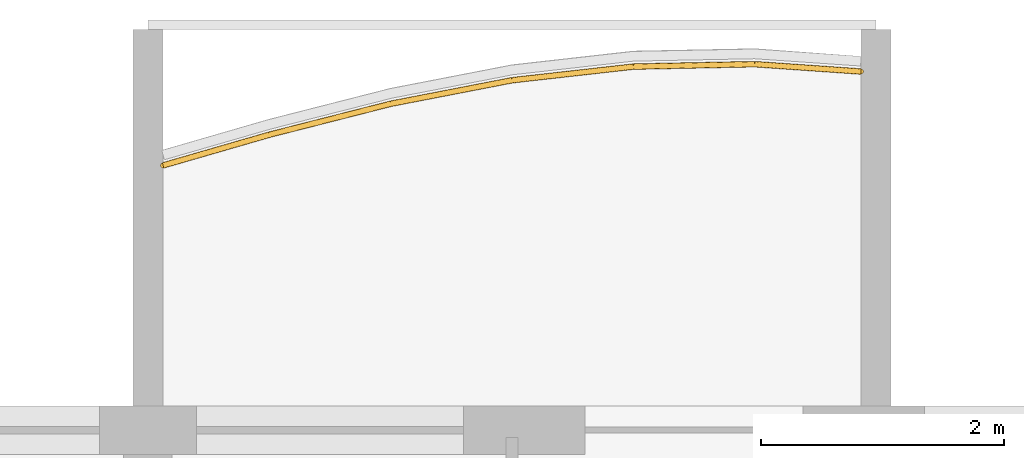
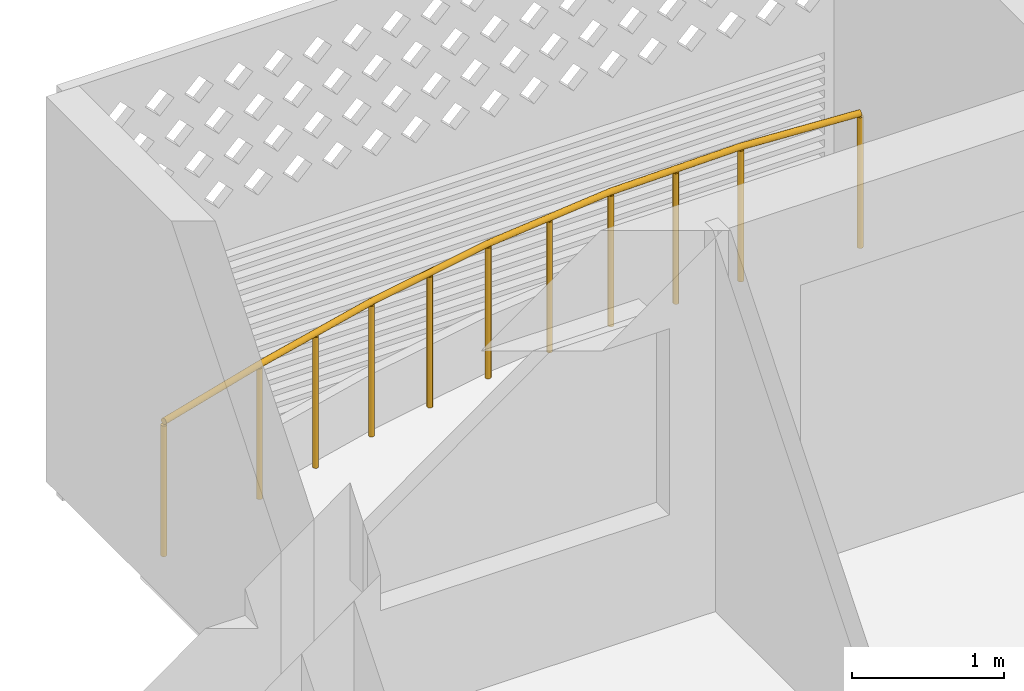
# One storey, part 24 of 40: 1 railing.
"""IFC4 building model written with IfcOpenShell, lengths in metres."""

from ifc_helpers import new_model, si_unit, direction, frame, origin, origin_2d, place, context, subcontext, project, spatial, circle, extrude, material, type_object, element, save


model = new_model("IFC4")

# Units and contexts
model_context = context("Model", 3, precision=1e-05, world=origin(), true_north=direction((0.0, 1.0)))
body_context = subcontext(model_context, "Body", "Model", "MODEL_VIEW")
ifc_project = project(units=[si_unit("LENGTHUNIT", "METRE"), si_unit("AREAUNIT", "SQUARE_METRE"), si_unit("VOLUMEUNIT", "CUBIC_METRE"), si_unit("PLANEANGLEUNIT", "RADIAN"), si_unit("MASSUNIT", "GRAM", prefix="KILO")], contexts=[model_context])

# Site, building, storey
site_placement = place(None, origin())
site = spatial("IfcSite", under=ifc_project, at=site_placement, CompositionType="ELEMENT")
building_placement = place(site_placement, origin())
building = spatial("IfcBuilding", under=site, at=building_placement, Name="Poui Terraces", CompositionType="ELEMENT")
storey_placement = place(building_placement, frame((0.0, 0.0, 36.60009765625)))
storey = spatial("IfcBuildingStorey", under=building, at=storey_placement, Name="L09", CompositionType="ELEMENT", Elevation=36.60009765625)

# Railing
ifc_material = material(Name="Painted steel fretwork", Category="steel")
railing_type = type_object("IfcRailingType", Name="BALCONY GUARD 1100", PredefinedType="GUARDRAIL", material=ifc_material)
railing_placement = place(storey_placement, frame((24.125, 46.981689453125, 0.0)))
element("IfcRailing", 1, at=railing_placement, inside=storey, type_object=railing_type, Name="BALCONY GUARD", PredefinedType="GUARDRAIL", context=body_context, shape_type="SweptSolid", body=[
    extrude(circle(Radius=0.02392578125, at=origin_2d()), frame((0.0, 0.0, 1.076171875), z_axis=(0.960669700127, 0.277693585193, 0.0), x_axis=(-0.277693585193, 0.960669700127, 0.0)), (0.0, 0.0, 1.0), 0.910888671875),
    extrude(circle(Radius=0.02392578125, at=origin_2d()), frame((0.875, 0.2529296875, 1.076171875), z_axis=(0.969018976325, 0.246986282052, 0.0), x_axis=(-0.246986282052, 0.969018976325, 0.0)), (0.0, 0.0, 1.0), 1.031982421875),
    extrude(circle(Radius=0.02392578125, at=origin_2d()), frame((1.875, 0.5078125, 1.076171875), z_axis=(0.981724998512, 0.190305090044, 0.0), x_axis=(-0.190305090044, 0.981724998512, 0.0)), (0.0, 0.0, 1.0), 1.0185546875),
    extrude(circle(Radius=0.02392578125, at=origin_2d()), frame((2.875, 0.70166015625, 1.076171875), z_axis=(0.993725924527, 0.111842688283, 0.0), x_axis=(-0.111842688283, 0.993725924527, 0.0)), (0.0, 0.0, 1.0), 1.00634765625),
    extrude(circle(Radius=0.02392578125, at=origin_2d()), frame((3.875, 0.814208984375, 1.076171875), z_axis=(0.999799669399, 0.020015520725, 0.0), x_axis=(-0.020015520725, 0.999799669399, 0.0)), (0.0, 0.0, 1.0), 1.000244140625),
    extrude(circle(Radius=0.02392578125, at=origin_2d()), frame((4.875, 0.834228515625, 1.076171875), z_axis=(0.997614490352, -0.069031359823, 0.0), x_axis=(0.069031359823, 0.997614490352, 0.0)), (0.0, 0.0, 1.0), 0.877197265625),
    extrude(circle(Radius=0.02099609375, at=origin_2d()), origin(), (0.0, 0.0, 1.0), 1.052001953125),
    extrude(circle(Radius=0.02099609375, at=origin_2d()), frame((0.875, 0.2529296875, 0.0)), (0.0, 0.0, 1.0), 1.052001953125),
    extrude(circle(Radius=0.02099609375, at=origin_2d()), frame((1.375, 0.38037109375, 0.0)), (0.0, 0.0, 1.0), 1.052001953125),
    extrude(circle(Radius=0.02099609375, at=origin_2d()), frame((1.875, 0.5078125, 0.0)), (0.0, 0.0, 1.0), 1.052001953125),
    extrude(circle(Radius=0.02099609375, at=origin_2d()), frame((2.375, 0.604736328125, 0.0)), (0.0, 0.0, 1.0), 1.052001953125),
    extrude(circle(Radius=0.02099609375, at=origin_2d()), frame((2.875, 0.70166015625, 0.0)), (0.0, 0.0, 1.0), 1.052001953125),
    extrude(circle(Radius=0.02099609375, at=origin_2d()), frame((3.375, 0.7578125, 0.0)), (0.0, 0.0, 1.0), 1.052001953125),
    extrude(circle(Radius=0.02099609375, at=origin_2d()), frame((3.875, 0.814208984375, 0.0)), (0.0, 0.0, 1.0), 1.052001953125),
    extrude(circle(Radius=0.02099609375, at=origin_2d()), frame((4.375, 0.82421875, 0.0)), (0.0, 0.0, 1.0), 1.052001953125),
    extrude(circle(Radius=0.02099609375, at=origin_2d()), frame((4.875, 0.834228515625, 0.0)), (0.0, 0.0, 1.0), 1.052001953125),
    extrude(circle(Radius=0.02099609375, at=origin_2d()), frame((5.75, 0.773681640625, 0.0)), (0.0, 0.0, 1.0), 1.052001953125),
])

save(model, "model.ifc")
